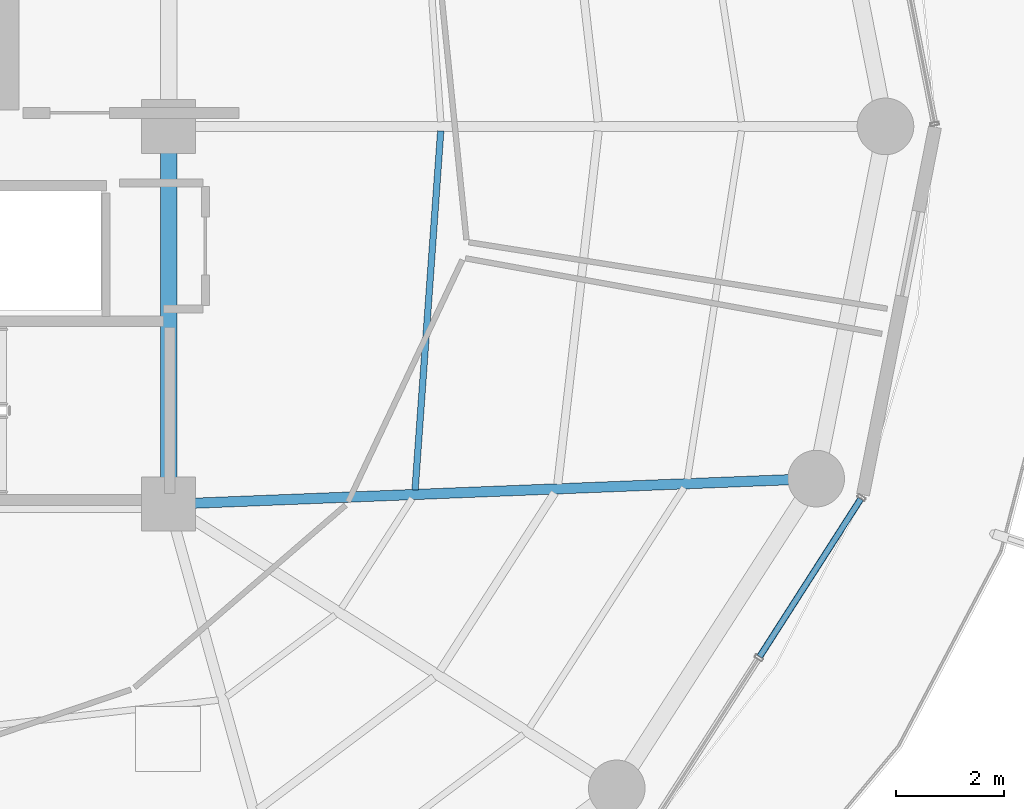
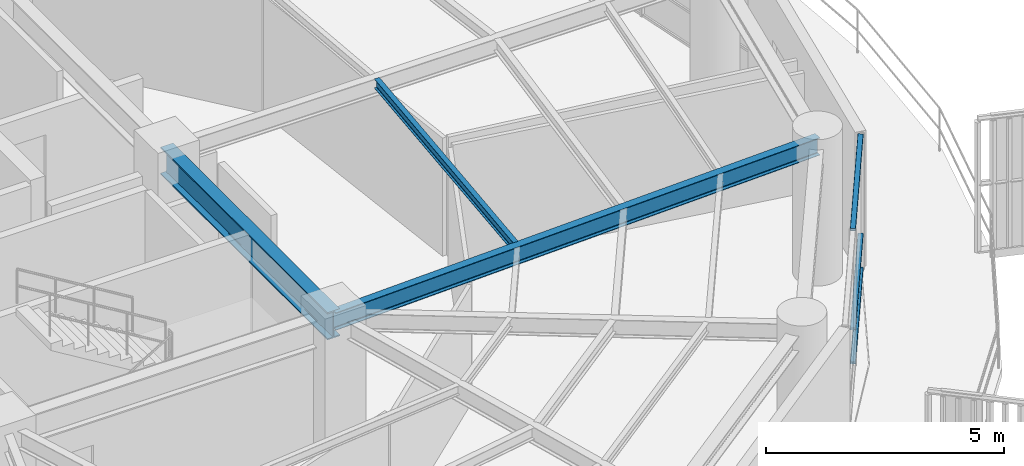
# One storey, part 12 of 31: 3 beams, 3 members, 1 element without a shape of its own.
"""IFC4 building model written with IfcOpenShell, lengths in metres."""

from ifc_helpers import new_model, si_unit, direction, frame, origin, origin_2d, place, context, subcontext, project, spatial, hollow_rectangle, i_section, extrude, material, layer, layer_set, material_profile, profile_set, type_object, element, aggregate, save


model = new_model("IFC4")

# Units and contexts
model_context = context("Model", 3, precision=1e-05, world=origin(), true_north=direction((0.0, 1.0)))
body_context = subcontext(model_context, "Body", "Model", "MODEL_VIEW")
ifc_project = project(units=[si_unit("LENGTHUNIT", "METRE"), si_unit("AREAUNIT", "SQUARE_METRE"), si_unit("VOLUMEUNIT", "CUBIC_METRE"), si_unit("PLANEANGLEUNIT", "RADIAN"), si_unit("MASSUNIT", "GRAM", prefix="KILO")], contexts=[model_context])

# Site, building, storey
site_placement = place(None, origin())
site = spatial("IfcSite", under=ifc_project, at=site_placement, CompositionType="ELEMENT")
building_placement = place(site_placement, origin())
building = spatial("IfcBuilding", under=site, at=building_placement, Name="Kelanora Arch Commons", CompositionType="ELEMENT")
storey_placement = place(building_placement, frame((0.0, 0.0, 223.199951171875)))
storey = spatial("IfcBuildingStorey", under=building, at=storey_placement, Name="L57", CompositionType="ELEMENT", Elevation=223.199951171875)

# Beams
ifc_material_1 = material(Name="Steel S355", Category="steel")
ifc_material_profile_1 = material_profile(ifc_material_1, i_section(OverallWidth=0.300048828125, OverallDepth=0.699951171875, WebThickness=0.01708984375, FlangeThickness=0.031982421875, FilletRadius=0.027099609375, at=origin_2d()), Name="HEB700")
ifc_profile_set_1 = profile_set([ifc_material_profile_1], Name="Steel S355")
beam_type_1 = type_object("IfcBeamType", Name="BM-CORE-HDR", PredefinedType="BEAM", material=ifc_profile_set_1)
beam_1_placement = place(storey_placement, frame((82.0, 51.0, 3.14013671875), z_axis=(0.0, 1.0, 0.0), x_axis=(-1.0, 0.0, 0.0)))
element("IfcBeam", 1, at=beam_1_placement, inside=storey, type_object=beam_type_1, Name="Core Header Beam 03 L57", PredefinedType="BEAM", context=body_context, shape_type="SweptSolid", body=[
    extrude(i_section(OverallWidth=0.300048828125, OverallDepth=0.699951171875, WebThickness=0.01708984375, FlangeThickness=0.031982421875, FilletRadius=0.027099609375, at=origin_2d()), origin(), (0.0, 0.0, 1.0), 7.0),
])
ifc_material_profile_2 = material_profile(ifc_material_1, i_section(OverallWidth=0.1201171875, OverallDepth=0.239990234375, WebThickness=0.006103515625, FlangeThickness=0.009765625, FilletRadius=0.014892578125, at=origin_2d()), Name="IPE240")
ifc_profile_set_2 = profile_set([ifc_material_profile_2], Name="Steel S355")
beam_type_2 = type_object("IfcBeamType", Name="BM-JST-02", PredefinedType="JOIST", material=ifc_profile_set_2)
beam_2_placement = place(storey_placement, frame((86.564697265625, 51.264892578125, 3.3701171875), z_axis=(0.07133032136, 0.997452748382, 0.0), x_axis=(-0.997452748382, 0.07133032136, 0.0)))
element("IfcBeam", 2, at=beam_2_placement, inside=storey, type_object=beam_type_2, Name="Secondary Chord Joist BJA-34 L57", PredefinedType="JOIST", context=body_context, shape_type="SweptSolid", body=[
    extrude(i_section(OverallWidth=0.1201171875, OverallDepth=0.239990234375, WebThickness=0.006103515625, FlangeThickness=0.009765625, FilletRadius=0.014892578125, at=origin_2d()), origin(), (0.0, 0.0, 1.0), 6.66748046875),
])
ifc_material_profile_3 = material_profile(ifc_material_1, i_section(OverallWidth=0.18994140625, OverallDepth=0.449951171875, WebThickness=0.009521484375, FlangeThickness=0.0146484375, FilletRadius=0.02099609375, at=origin_2d()), Name="IPE450")
ifc_profile_set_3 = profile_set([ifc_material_profile_3], Name="Steel S355")
beam_type_3 = type_object("IfcBeamType", Name="BM-RAD-Z4", PredefinedType="BEAM", material=ifc_profile_set_3)
beam_3_placement = place(storey_placement, frame((82.0, 51.0, 3.26513671875), z_axis=(0.999219142585, 0.03951082246, 0.0), x_axis=(-0.03951082246, 0.999219142585, 0.0)))
element("IfcBeam", 3, at=beam_3_placement, inside=storey, type_object=beam_type_3, Name="Radial Floor Girder BR-34 L57", PredefinedType="BEAM", context=body_context, shape_type="SweptSolid", body=[
    extrude(i_section(OverallWidth=0.18994140625, OverallDepth=0.449951171875, WebThickness=0.009521484375, FlangeThickness=0.0146484375, FilletRadius=0.02099609375, at=origin_2d()), origin(), (0.0, 0.0, 1.0), 12.005859375),
])

# Curtain wall, members
ifc_material_2 = material(Name="Terracotta ceramic-fritted low-E glass and aluminium", Category="masonry")
ifc_layer = layer(ifc_material_2, 0.175048828125)
ifc_layer_set = layer_set([ifc_layer], Name="Terracotta ceramic-fritted low-E glass and aluminium")
curtain_wall_type = type_object("IfcCurtainWallType", Name="CW-SYS-02", PredefinedType="NOTDEFINED", material=ifc_layer_set)
curtain_wall_placement = place(storey_placement, origin())
curtain_wall = element("IfcCurtainWall", 4, at=curtain_wall_placement, inside=storey, type_object=curtain_wall_type, Name="Unitised Curtain Wall L57-B16", PredefinedType="NOTDEFINED")
ifc_material_3 = material(Name="Powder-coated aluminium terracotta", Category="masonry")
ifc_material_profile_4 = material_profile(ifc_material_3, hollow_rectangle(XDim=0.1201171875, YDim=0.06005859375, WallThickness=0.0048828125, InnerFilletRadius=0.0048828125, OuterFilletRadius=0.010009765625, at=origin_2d()), Name="CWT120x60")
ifc_profile_set_4 = profile_set([ifc_material_profile_4], Name="Powder-coated aluminium terracotta")
member_type = type_object("IfcMemberType", Name="CWT-STD", PredefinedType="USERDEFINED", material=ifc_profile_set_4)
member_1_placement = place(storey_placement, frame((92.949951171875, 48.17724609375, 0.030029296875), z_axis=(0.539579095642, 0.84193491408, 0.0), x_axis=(-0.84193491408, 0.539579095642, 0.0)))
member_1 = element("IfcMember", 5, at=member_1_placement, type_object=member_type, Name="CW-02 transom 2.1", ObjectType="TRANSOM", PredefinedType="USERDEFINED", context=body_context, shape_type="SweptSolid", body=[
    extrude(hollow_rectangle(XDim=0.1201171875, YDim=0.06005859375, WallThickness=0.0048828125, InnerFilletRadius=0.0048828125, OuterFilletRadius=0.010009765625, at=origin_2d()), origin(), (0.0, 0.0, 1.0), 3.46728515625),
])
member_2_placement = place(storey_placement, frame((92.949951171875, 48.17724609375, 0.900146484375), z_axis=(0.539579095642, 0.84193491408, 0.0), x_axis=(-0.84193491408, 0.539579095642, 0.0)))
member_2 = element("IfcMember", 6, at=member_2_placement, type_object=member_type, Name="CW-02 transom 2.2", ObjectType="TRANSOM", PredefinedType="USERDEFINED", context=body_context, shape_type="SweptSolid", body=[
    extrude(hollow_rectangle(XDim=0.1201171875, YDim=0.06005859375, WallThickness=0.0048828125, InnerFilletRadius=0.0048828125, OuterFilletRadius=0.010009765625, at=origin_2d()), origin(), (0.0, 0.0, 1.0), 3.46728515625),
])
member_3_placement = place(storey_placement, frame((92.949951171875, 48.17724609375, 3.445068359375), z_axis=(0.539579095642, 0.84193491408, 0.0), x_axis=(-0.84193491408, 0.539579095642, 0.0)))
member_3 = element("IfcMember", 7, at=member_3_placement, type_object=member_type, Name="CW-02 transom 2.3", ObjectType="TRANSOM", PredefinedType="USERDEFINED", context=body_context, shape_type="SweptSolid", body=[
    extrude(hollow_rectangle(XDim=0.1201171875, YDim=0.06005859375, WallThickness=0.0048828125, InnerFilletRadius=0.0048828125, OuterFilletRadius=0.010009765625, at=origin_2d()), origin(), (0.0, 0.0, 1.0), 3.46728515625),
])
aggregate(curtain_wall, [member_1, member_2, member_3])

save(model, "model.ifc")
